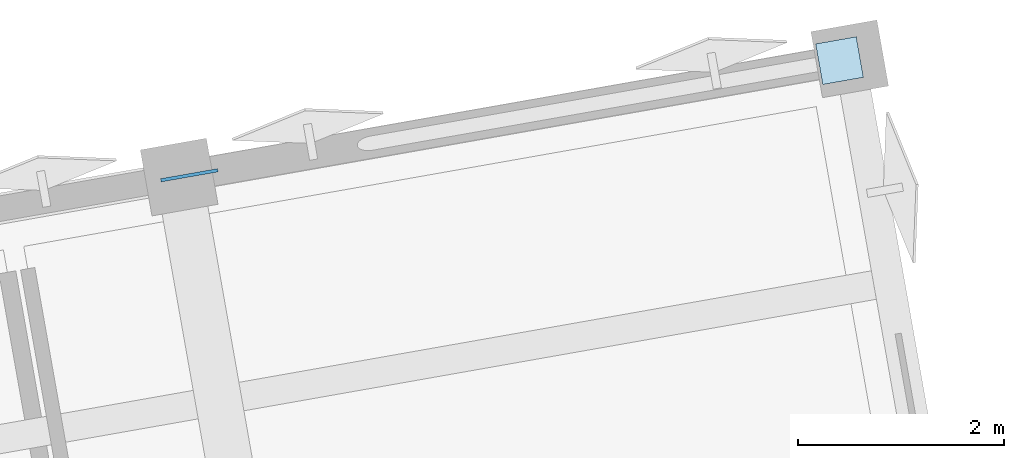
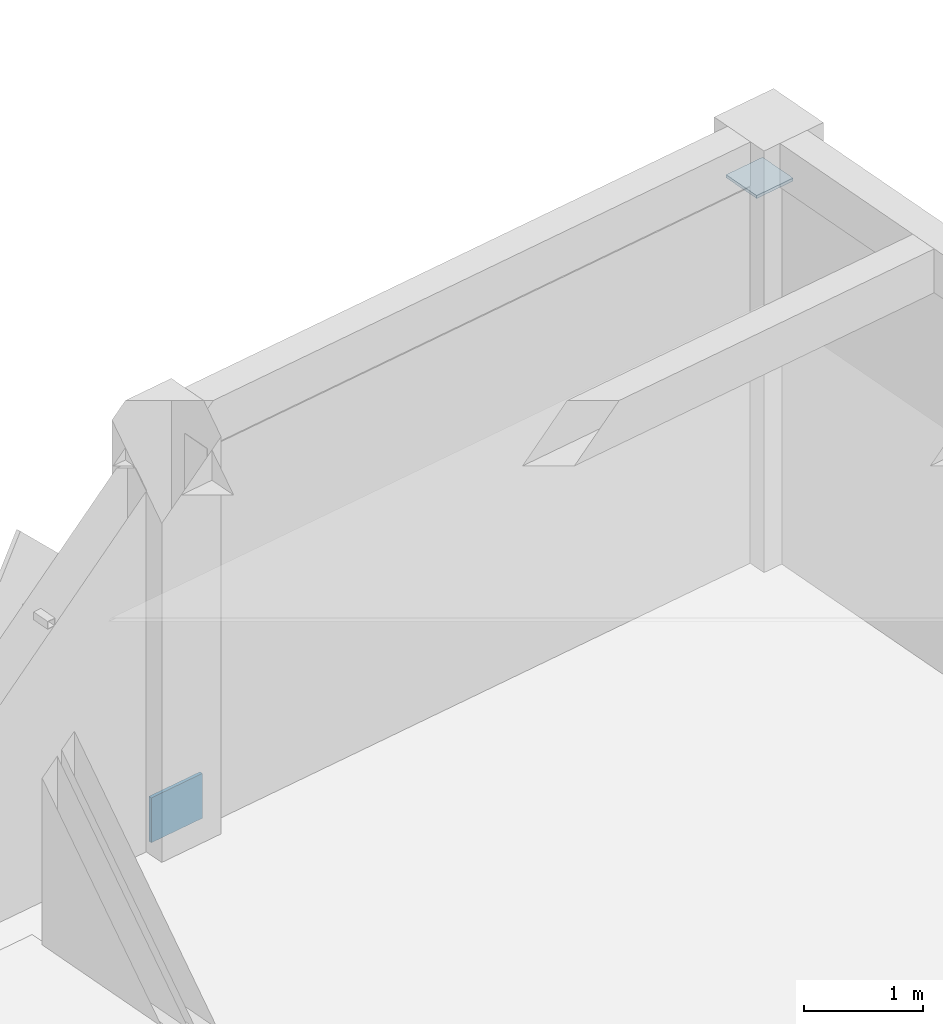
# One storey, part 50 of 67: 2 plates.
"""IFC4 building model written with IfcOpenShell, lengths in metres."""

from ifc_helpers import new_model, si_unit, direction, frame, origin, origin_2d, place, context, subcontext, project, spatial, rectangle, extrude, material, layer, layer_set, type_object, element, save


model = new_model("IFC4")

# Units and contexts
model_context = context("Model", 3, precision=1e-05, world=origin(), true_north=direction((0.0, 1.0)))
body_context = subcontext(model_context, "Body", "Model", "MODEL_VIEW")
ifc_project = project(units=[si_unit("LENGTHUNIT", "METRE"), si_unit("AREAUNIT", "SQUARE_METRE"), si_unit("VOLUMEUNIT", "CUBIC_METRE"), si_unit("PLANEANGLEUNIT", "RADIAN"), si_unit("MASSUNIT", "GRAM", prefix="KILO")], contexts=[model_context])

# Site, building, storey
site_placement = place(None, origin())
site = spatial("IfcSite", under=ifc_project, at=site_placement, CompositionType="ELEMENT")
building_placement = place(site_placement, origin())
building = spatial("IfcBuilding", under=site, at=building_placement, Name="Kharisveld Research Institute", CompositionType="ELEMENT")
storey_placement = place(building_placement, frame((0.0, 0.0, 9.60009765625)))
storey = spatial("IfcBuildingStorey", under=building, at=storey_placement, Name="L02", CompositionType="ELEMENT", Elevation=9.60009765625)

# Plates
ifc_material_1 = material(Name="Steel S355JR", Category="steel")
ifc_layer_1 = layer(ifc_material_1, 0.030029296875)
ifc_layer_set_1 = layer_set([ifc_layer_1], Name="PL_CAP_E")
plate_type_1 = type_object("IfcPlateType", Name="PL_CAP_E", PredefinedType="SHEET", material=ifc_layer_set_1)
plate_1_placement = place(storey_placement, frame((40.66162109375, 61.368408203125, 3.7548828125), z_axis=(0.0, 0.0, 1.0), x_axis=(0.984807753012, 0.173648177667, 0.0)))
element("IfcPlate", 1, at=plate_1_placement, inside=storey, type_object=plate_type_1, Name="PLT:V1:L02:CAP_5_3", PredefinedType="SHEET", context=body_context, shape_type="SweptSolid", body=[
    extrude(rectangle(XDim=0.39990234375, YDim=0.39990234375, at=origin_2d()), origin(), (0.0, 0.0, 1.0), 0.030029296875),
])
ifc_material_2 = material(Name="Steel S355JR", Category="steel")
ifc_layer_2 = layer(ifc_material_2, 0.031982421875)
ifc_layer_set_2 = layer_set([ifc_layer_2], Name="PL_GUS_E")
plate_type_2 = type_object("IfcPlateType", Name="PL_GUS_E", PredefinedType="USERDEFINED", material=ifc_layer_set_2)
plate_2_placement = place(storey_placement, frame((34.35888671875, 60.2568359375, -0.030029296875), z_axis=(0.0, 0.0, 1.0), x_axis=(0.984807753012, 0.173648177667, 0.0)))
element("IfcPlate", 2, at=plate_2_placement, inside=storey, type_object=plate_type_2, Name="PLT:V1:L02:GUS_5_3", ObjectType="GUSSET PLATE", PredefinedType="USERDEFINED", context=body_context, shape_type="SweptSolid", body=[
    extrude(rectangle(XDim=0.56005859375, YDim=0.031982421875, at=origin_2d()), origin(), (0.0, 0.0, 1.0), 0.4599609375),
])

save(model, "model.ifc")
